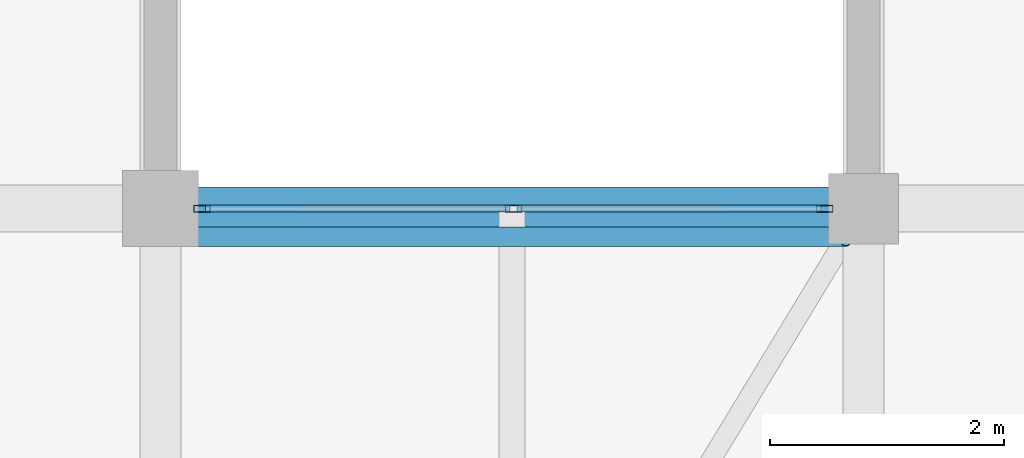
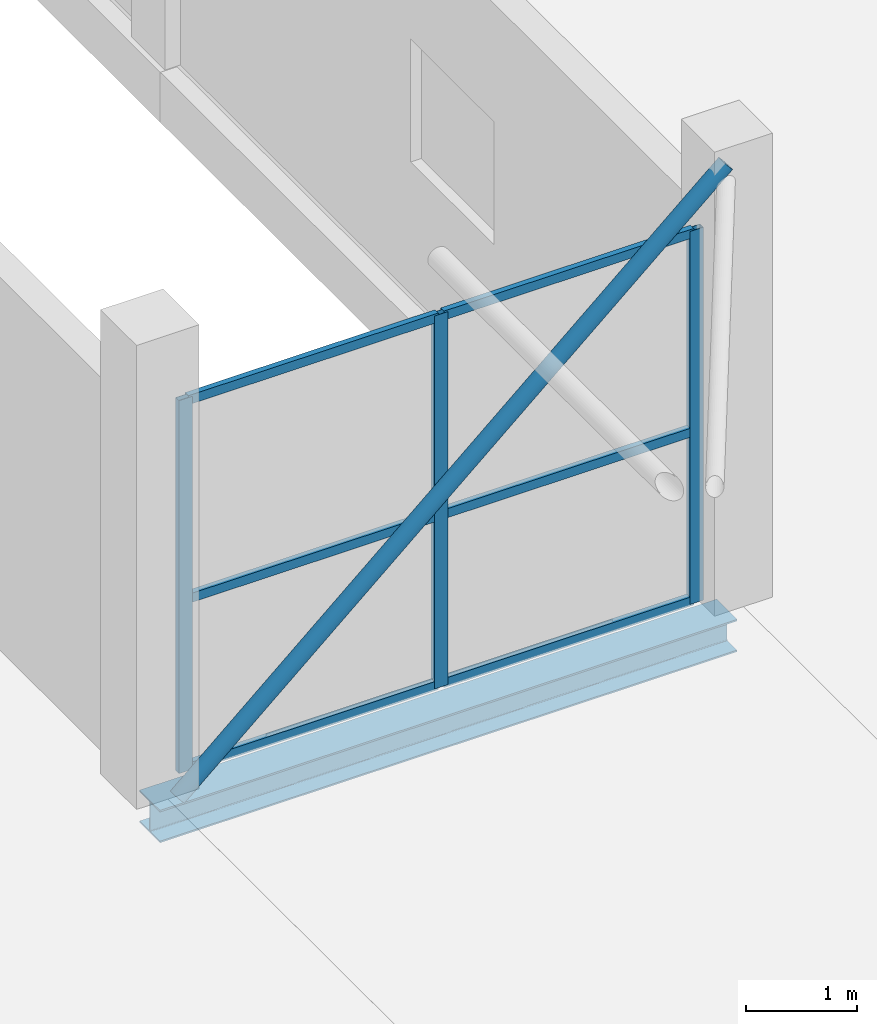
# One storey, part 33 of 58: 10 members, 1 beam, 1 element without a shape of its own.
"""IFC4 building model written with IfcOpenShell, lengths in metres."""

from ifc_helpers import new_model, si_unit, direction, frame, origin, origin_2d, place, context, subcontext, project, spatial, hollow_rectangle, hollow_circle, i_section, extrude, material, layer, layer_set, material_profile, profile_set, type_object, element, aggregate, save


model = new_model("IFC4")

# Units and contexts
model_context = context("Model", 3, precision=1e-05, world=origin(), true_north=direction((0.0, 1.0)))
body_context = subcontext(model_context, "Body", "Model", "MODEL_VIEW")
ifc_project = project(units=[si_unit("LENGTHUNIT", "METRE"), si_unit("AREAUNIT", "SQUARE_METRE"), si_unit("VOLUMEUNIT", "CUBIC_METRE"), si_unit("PLANEANGLEUNIT", "RADIAN"), si_unit("MASSUNIT", "GRAM", prefix="KILO")], contexts=[model_context])

# Site, building, storey
site_placement = place(None, origin())
site = spatial("IfcSite", under=ifc_project, at=site_placement, CompositionType="ELEMENT")
building_placement = place(site_placement, origin())
building = spatial("IfcBuilding", under=site, at=building_placement, Name="Sillaruma Civic Art Gallery", CompositionType="ELEMENT")
storey_placement = place(building_placement, frame((0.0, 0.0, 52.02001953125)))
storey = spatial("IfcBuildingStorey", under=building, at=storey_placement, Name="L10", CompositionType="ELEMENT", Elevation=52.02001953125)

# Beam
ifc_material_1 = material(Name="Structural Steel ASTM A992 Gr.50", Category="steel")
ifc_material_profile_1 = material_profile(ifc_material_1, i_section(OverallWidth=0.368896484375, OverallDepth=0.35595703125, WebThickness=0.01123046875, FlangeThickness=0.01806640625, FilletRadius=0.014892578125, at=origin_2d()), Name="W360x134")
ifc_profile_set_1 = profile_set([ifc_material_profile_1], Name="Structural Steel ASTM A992 Gr.50")
beam_type = type_object("IfcBeamType", Name="BM-BRIDGE-W360x134", PredefinedType="SPANDREL", material=ifc_profile_set_1)
beam_placement = place(storey_placement, frame((92.0, 79.199951171875, -0.387939453125), z_axis=(1.0, 0.0, 0.0), x_axis=(0.0, 1.0, 0.0)))
element("IfcBeam", 1, at=beam_placement, inside=storey, type_object=beam_type, Name="Sky-Bridge Steel Edge Girder (BRG-N:L10:N)", PredefinedType="SPANDREL", context=body_context, shape_type="SweptSolid", body=[
    extrude(i_section(OverallWidth=0.368896484375, OverallDepth=0.35595703125, WebThickness=0.01123046875, FlangeThickness=0.01806640625, FilletRadius=0.014892578125, at=origin_2d()), origin(), (0.0, 0.0, 1.0), 6.0),
])

# Member
ifc_material_2 = material(Name="Structural Steel ASTM A500 Gr.C", Category="steel")
ifc_material_profile_2 = material_profile(ifc_material_2, hollow_circle(Radius=0.084228515625, WallThickness=0.007080078125, at=origin_2d()), Name="CHS168.3x7.1")
ifc_profile_set_2 = profile_set([ifc_material_profile_2], Name="Structural Steel ASTM A500 Gr.C")
member_type_1 = type_object("IfcMemberType", Name="MEM-BRIDGE-BRACE", PredefinedType="BRACE", material=ifc_profile_set_2)
member_1_placement = place(storey_placement, frame((92.14990234375, 78.9599609375, -0.080078125), z_axis=(0.753735417324, 0.0, 0.657177997707), x_axis=(0.0, 1.0, 0.0)))
element("IfcMember", 2, at=member_1_placement, inside=storey, type_object=member_type_1, Name="Sky-Bridge Elevation Truss Web Brace (BRG-N:L10:N)", PredefinedType="BRACE", context=body_context, shape_type="SweptSolid", body=[
    extrude(hollow_circle(Radius=0.084228515625, WallThickness=0.007080078125, at=origin_2d()), origin(), (0.0, 0.0, 1.0), 7.5625),
])

# Curtain wall, members
ifc_material_3 = material(Name="Thermally Broken Extruded Aluminium 6063-T6", Category="aluminium")
ifc_layer = layer(ifc_material_3, 0.139892578125, Name="Thermally Broken Extruded Aluminium 6063-T6")
ifc_layer_set = layer_set([ifc_layer], Name="Thermally Broken Extruded Aluminium 6063-T6")
curtain_wall_type = type_object("IfcCurtainWallType", Name="CW-UNI-85", PredefinedType="NOTDEFINED", material=ifc_layer_set)
curtain_wall_placement = place(storey_placement, origin())
curtain_wall = element("IfcCurtainWall", 3, at=curtain_wall_placement, inside=storey, type_object=curtain_wall_type, Name="Unitised Curtain Wall CW-85 (CW-BRG-N-L10-N)", PredefinedType="NOTDEFINED")
ifc_material_profile_3 = material_profile(ifc_material_3, hollow_rectangle(XDim=0.06005859375, YDim=0.139892578125, WallThickness=0.00341796875, at=origin_2d()), Name="CWM60x140")
ifc_profile_set_3 = profile_set([ifc_material_profile_3], Name="Thermally Broken Extruded Aluminium 6063-T6")
member_type_2 = type_object("IfcMemberType", Name="MEM-MUL-CWM60x140", PredefinedType="MULLION", material=ifc_profile_set_3)
member_2_placement = place(storey_placement, frame((92.35498046875, 79.199951171875, 0.0), z_axis=(0.0, 0.0, 1.0), x_axis=(0.0, 1.0, 0.0)))
member_2 = element("IfcMember", 4, at=member_2_placement, type_object=member_type_2, Name="CW-85 mullion 1", PredefinedType="MULLION", context=body_context, shape_type="SweptSolid", body=[
    extrude(hollow_rectangle(XDim=0.06005859375, YDim=0.139892578125, WallThickness=0.00341796875, at=origin_2d()), origin(), (0.0, 0.0, 1.0), 4.10009765625),
])
member_3_placement = place(storey_placement, frame((95.012451171875, 79.199951171875, 0.0), z_axis=(0.0, 0.0, 1.0), x_axis=(0.0, 1.0, 0.0)))
member_3 = element("IfcMember", 5, at=member_3_placement, type_object=member_type_2, Name="CW-85 mullion 2", PredefinedType="MULLION", context=body_context, shape_type="SweptSolid", body=[
    extrude(hollow_rectangle(XDim=0.06005859375, YDim=0.139892578125, WallThickness=0.00341796875, at=origin_2d()), origin(), (0.0, 0.0, 1.0), 4.10009765625),
])
member_4_placement = place(storey_placement, frame((97.669921875, 79.199951171875, 0.0), z_axis=(0.0, 0.0, 1.0), x_axis=(0.0, 1.0, 0.0)))
member_4 = element("IfcMember", 6, at=member_4_placement, type_object=member_type_2, Name="CW-85 mullion 3", PredefinedType="MULLION", context=body_context, shape_type="SweptSolid", body=[
    extrude(hollow_rectangle(XDim=0.06005859375, YDim=0.139892578125, WallThickness=0.00341796875, at=origin_2d()), origin(), (0.0, 0.0, 1.0), 4.10009765625),
])
ifc_material_profile_4 = material_profile(ifc_material_3, hollow_rectangle(XDim=0.06005859375, YDim=0.10009765625, WallThickness=0.003173828125, at=origin_2d()), Name="CWT60x100")
ifc_profile_set_4 = profile_set([ifc_material_profile_4], Name="Thermally Broken Extruded Aluminium 6063-T6")
member_type_3 = type_object("IfcMemberType", Name="MEM-TRN-CWT60x100", PredefinedType="USERDEFINED", material=ifc_profile_set_4)
member_5_placement = place(storey_placement, frame((92.385009765625, 79.199951171875, 0.030029296875), z_axis=(1.0, 0.0, 0.0), x_axis=(0.0, 1.0, 0.0)))
member_5 = element("IfcMember", 7, at=member_5_placement, type_object=member_type_3, Name="CW-85 transom 1.1", ObjectType="TRANSOM", PredefinedType="USERDEFINED", context=body_context, shape_type="SweptSolid", body=[
    extrude(hollow_rectangle(XDim=0.06005859375, YDim=0.10009765625, WallThickness=0.003173828125, at=origin_2d()), origin(), (0.0, 0.0, 1.0), 2.597412109375),
])
member_6_placement = place(storey_placement, frame((92.385009765625, 79.199951171875, 1.885986328125), z_axis=(1.0, 0.0, 0.0), x_axis=(0.0, 1.0, 0.0)))
member_6 = element("IfcMember", 8, at=member_6_placement, type_object=member_type_3, Name="CW-85 transom 1.2", ObjectType="TRANSOM", PredefinedType="USERDEFINED", context=body_context, shape_type="SweptSolid", body=[
    extrude(hollow_rectangle(XDim=0.06005859375, YDim=0.10009765625, WallThickness=0.003173828125, at=origin_2d()), origin(), (0.0, 0.0, 1.0), 2.597412109375),
])
member_7_placement = place(storey_placement, frame((92.385009765625, 79.199951171875, 4.070068359375), z_axis=(1.0, 0.0, 0.0), x_axis=(0.0, 1.0, 0.0)))
member_7 = element("IfcMember", 9, at=member_7_placement, type_object=member_type_3, Name="CW-85 transom 1.3", ObjectType="TRANSOM", PredefinedType="USERDEFINED", context=body_context, shape_type="SweptSolid", body=[
    extrude(hollow_rectangle(XDim=0.06005859375, YDim=0.10009765625, WallThickness=0.003173828125, at=origin_2d()), origin(), (0.0, 0.0, 1.0), 2.597412109375),
])
member_8_placement = place(storey_placement, frame((95.04248046875, 79.199951171875, 0.030029296875), z_axis=(1.0, 0.0, 0.0), x_axis=(0.0, 1.0, 0.0)))
member_8 = element("IfcMember", 10, at=member_8_placement, type_object=member_type_3, Name="CW-85 transom 2.1", ObjectType="TRANSOM", PredefinedType="USERDEFINED", context=body_context, shape_type="SweptSolid", body=[
    extrude(hollow_rectangle(XDim=0.06005859375, YDim=0.10009765625, WallThickness=0.003173828125, at=origin_2d()), origin(), (0.0, 0.0, 1.0), 2.597412109375),
])
member_9_placement = place(storey_placement, frame((95.04248046875, 79.199951171875, 1.885986328125), z_axis=(1.0, 0.0, 0.0), x_axis=(0.0, 1.0, 0.0)))
member_9 = element("IfcMember", 11, at=member_9_placement, type_object=member_type_3, Name="CW-85 transom 2.2", ObjectType="TRANSOM", PredefinedType="USERDEFINED", context=body_context, shape_type="SweptSolid", body=[
    extrude(hollow_rectangle(XDim=0.06005859375, YDim=0.10009765625, WallThickness=0.003173828125, at=origin_2d()), origin(), (0.0, 0.0, 1.0), 2.597412109375),
])
member_10_placement = place(storey_placement, frame((95.04248046875, 79.199951171875, 4.070068359375), z_axis=(1.0, 0.0, 0.0), x_axis=(0.0, 1.0, 0.0)))
member_10 = element("IfcMember", 12, at=member_10_placement, type_object=member_type_3, Name="CW-85 transom 2.3", ObjectType="TRANSOM", PredefinedType="USERDEFINED", context=body_context, shape_type="SweptSolid", body=[
    extrude(hollow_rectangle(XDim=0.06005859375, YDim=0.10009765625, WallThickness=0.003173828125, at=origin_2d()), origin(), (0.0, 0.0, 1.0), 2.597412109375),
])
aggregate(curtain_wall, [member_2, member_3, member_4, member_5, member_6, member_7, member_8, member_9, member_10])

save(model, "model.ifc")
